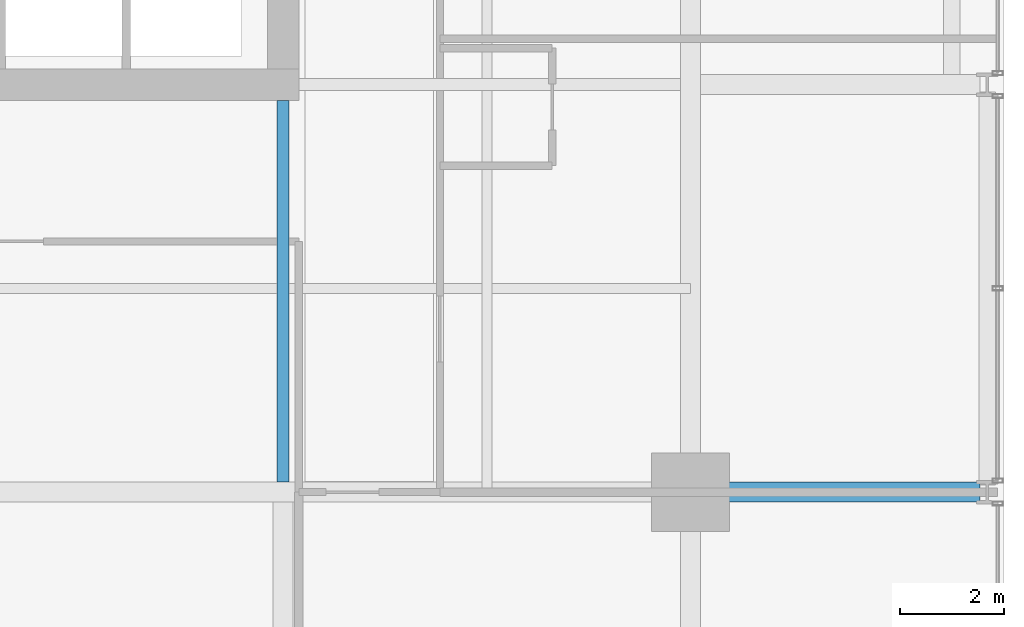
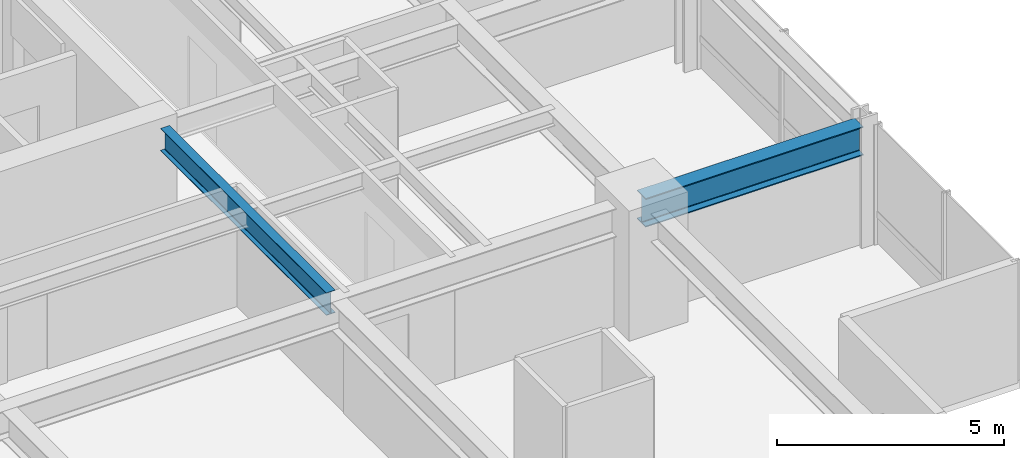
# One storey, part 12 of 34: 2 beams.
"""IFC4 building model written with IfcOpenShell, lengths in metres."""

from ifc_helpers import new_model, si_unit, direction, frame, origin, origin_2d, place, context, subcontext, project, spatial, i_section, extrude, material, material_profile, profile_set, type_object, element, save


model = new_model("IFC4")

# Units and contexts
model_context = context("Model", 3, precision=1e-05, world=origin(), true_north=direction((0.0, 1.0)))
body_context = subcontext(model_context, "Body", "Model", "MODEL_VIEW")
ifc_project = project(units=[si_unit("LENGTHUNIT", "METRE"), si_unit("AREAUNIT", "SQUARE_METRE"), si_unit("VOLUMEUNIT", "CUBIC_METRE"), si_unit("PLANEANGLEUNIT", "RADIAN"), si_unit("MASSUNIT", "GRAM", prefix="KILO")], contexts=[model_context])

# Site, building, storey
site_placement = place(None, origin())
site = spatial("IfcSite", under=ifc_project, at=site_placement, CompositionType="ELEMENT")
building_placement = place(site_placement, origin())
building = spatial("IfcBuilding", under=site, at=building_placement, Name="Drelvath Grand Hotel", CompositionType="ELEMENT")
storey_placement = place(building_placement, frame((0.0, 0.0, 102.300048828125)))
storey = spatial("IfcBuildingStorey", under=building, at=storey_placement, Name="L25", CompositionType="ELEMENT", Elevation=102.300048828125)

# Beams
ifc_material = material(Name="Steel ASTM A992 Gr 50", Category="steel")
ifc_material_profile_1 = material_profile(ifc_material, i_section(OverallWidth=0.228271484375, OverallDepth=0.607666015625, WebThickness=0.01123046875, FlangeThickness=0.017333984375, FilletRadius=0.02001953125, at=origin_2d()), Name="W24X76")
ifc_profile_set_1 = profile_set([ifc_material_profile_1], Name="Steel ASTM A992 Gr 50")
beam_type_1 = type_object("IfcBeamType", Name="Primary Floor Girder W24X76", PredefinedType="BEAM", material=ifc_profile_set_1)
beam_1_placement = place(storey_placement, frame((8.39990234375, 10.990234375, 2.93603515625), z_axis=(0.0, 1.0, 0.0), x_axis=(-1.0, 0.0, 0.0)))
element("IfcBeam", 1, at=beam_1_placement, inside=storey, type_object=beam_type_1, Name="L25 South Core Tie 6", PredefinedType="BEAM", context=body_context, shape_type="SweptSolid", body=[
    extrude(i_section(OverallWidth=0.228271484375, OverallDepth=0.607666015625, WebThickness=0.01123046875, FlangeThickness=0.017333984375, FilletRadius=0.02001953125, at=origin_2d()), origin(), (0.0, 0.0, 1.0), 7.309814453125),
])
ifc_material_profile_2 = material_profile(ifc_material, i_section(OverallWidth=0.380615234375, OverallDepth=0.773193359375, WebThickness=0.0166015625, FlangeThickness=0.027099609375, FilletRadius=0.02490234375, at=origin_2d()), Name="W30X173")
ifc_profile_set_2 = profile_set([ifc_material_profile_2], Name="Steel ASTM A992 Gr 50")
beam_type_2 = type_object("IfcBeamType", Name="Primary Floor Girder W30X173", PredefinedType="BEAM", material=ifc_profile_set_2)
beam_2_placement = place(storey_placement, frame((16.199951171875, 10.800048828125, 2.853271484375), z_axis=(1.0, 0.0, 0.0), x_axis=(0.0, 1.0, 0.0)))
element("IfcBeam", 2, at=beam_2_placement, inside=storey, type_object=beam_type_2, Name="L25 East Grid Girder C", PredefinedType="BEAM", context=body_context, shape_type="SweptSolid", body=[
    extrude(i_section(OverallWidth=0.380615234375, OverallDepth=0.773193359375, WebThickness=0.0166015625, FlangeThickness=0.027099609375, FilletRadius=0.02490234375, at=origin_2d()), origin(), (0.0, 0.0, 1.0), 5.5400390625),
])

save(model, "model.ifc")
